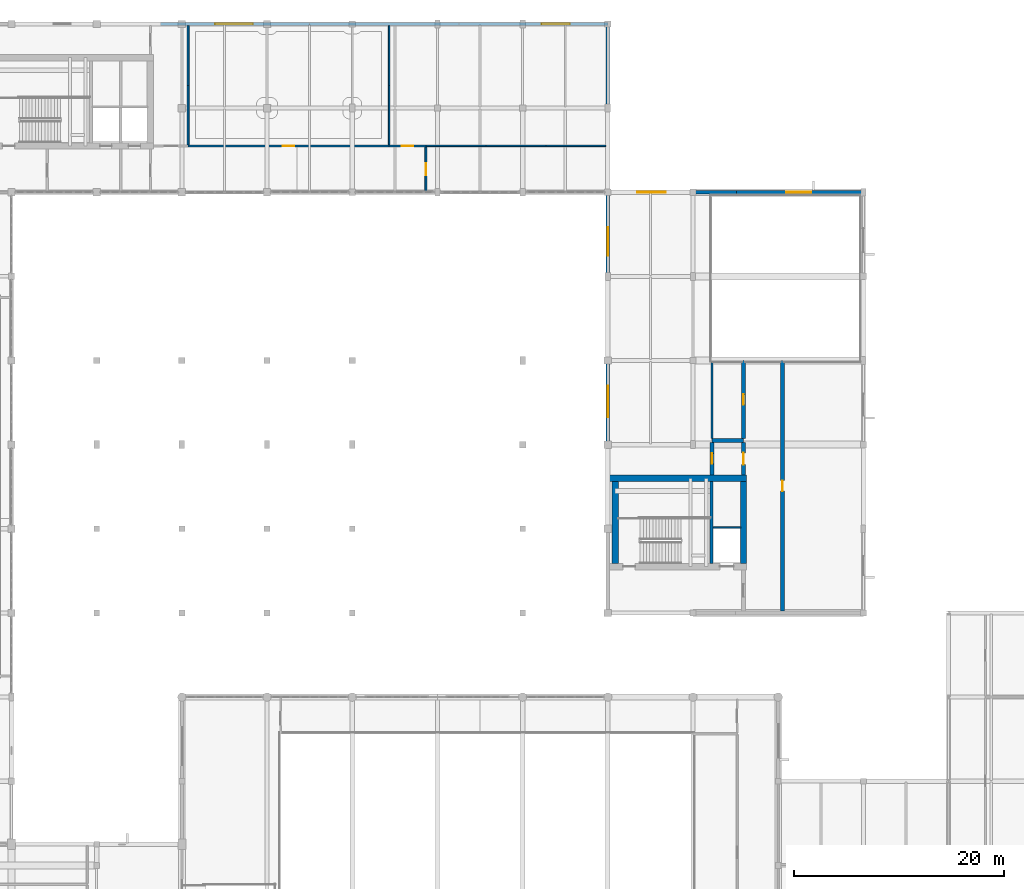
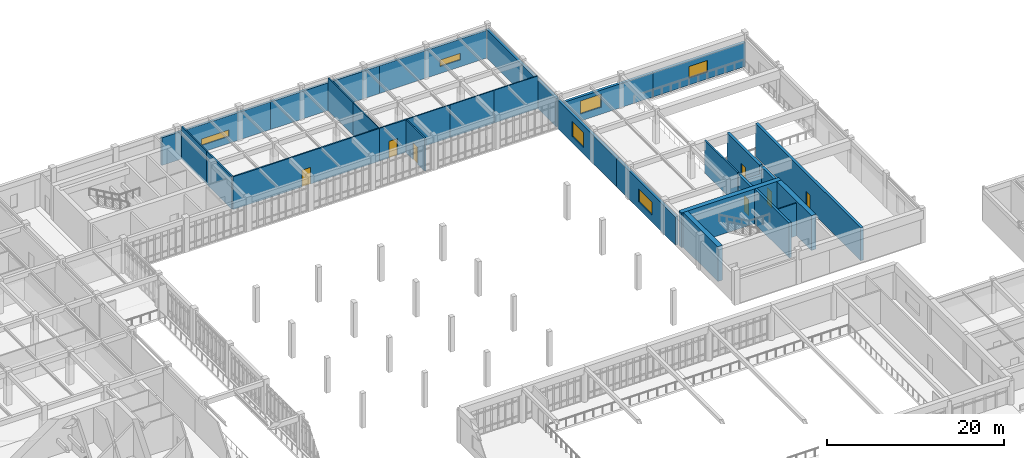
# One storey, part 48 of 61: 29 walls, 7 doors, 6 windows, 13 openings.
"""IFC4 building model written with IfcOpenShell, lengths in metres."""

from ifc_helpers import new_model, si_unit, direction, frame, frame_2d, origin, place, context, subcontext, project, spatial, rectangle, extrude, material, layer, layer_set, type_object, element, fill, save


model = new_model("IFC4")

# Units and contexts
model_context = context("Model", 3, precision=1e-05, world=origin(), true_north=direction((0.0, 1.0)))
body_context = subcontext(model_context, "Body", "Model", "MODEL_VIEW")
ifc_project = project(units=[si_unit("LENGTHUNIT", "METRE"), si_unit("AREAUNIT", "SQUARE_METRE"), si_unit("VOLUMEUNIT", "CUBIC_METRE"), si_unit("PLANEANGLEUNIT", "RADIAN"), si_unit("MASSUNIT", "GRAM", prefix="KILO")], contexts=[model_context])

# Site, building, storey
site_placement = place(None, origin())
site = spatial("IfcSite", under=ifc_project, at=site_placement, CompositionType="ELEMENT")
building_placement = place(site_placement, origin())
building = spatial("IfcBuilding", under=site, at=building_placement, Name="Tarnveldt Square Police Headquarters", CompositionType="ELEMENT")
storey_placement = place(building_placement, frame((0.0, 0.0, 5.39990234375)))
storey = spatial("IfcBuildingStorey", under=building, at=storey_placement, Name="L01", CompositionType="ELEMENT", Elevation=5.39990234375)

# Walls
ifc_material_1 = material(Name="Fire-rated Type X gypsum board on steel studs", Category="steel")
ifc_layer_1 = layer(ifc_material_1, 0.199951171875)
ifc_layer_set_1 = layer_set([ifc_layer_1], Name="Fire-rated Type X gypsum board on steel studs")
wall_type_1 = type_object("IfcWallType", Name="WL-ACOUST-200", PredefinedType="PARTITIONING", material=ifc_layer_set_1)
wall_1_placement = place(storey_placement, frame((115.199951171875, 72.5830078125, 0.0), z_axis=(0.0, 0.0, 1.0), x_axis=(0.0, 1.0, 0.0)))
element("IfcWall", 1, at=wall_1_placement, inside=storey, type_object=wall_type_1, Name="L01 Interior Partition Wall 0313", PredefinedType="PARTITIONING", context=body_context, shape_type="SweptSolid", body=[
    extrude(rectangle(XDim=7.406982421875, YDim=0.199951171875, at=frame_2d((3.70361328125, 0.0))), origin(), (0.0, 0.0, 1.0), 4.52001953125),
])
ifc_material_2 = material(Name="Concrete 50 MPa", Category="concrete")
ifc_layer_2 = layer(ifc_material_2, 0.449951171875)
ifc_layer_set_2 = layer_set([ifc_layer_2], Name="Concrete 50 MPa")
wall_type_2 = type_object("IfcWallType", Name="WL-CORE-450", PredefinedType="SHEAR", material=ifc_layer_set_2)
wall_2_placement = place(storey_placement, frame((115.14990234375, 60.699951171875, 0.0), z_axis=(0.0, 0.0, 1.0), x_axis=(0.0, 1.0, 0.0)))
element("IfcWall", 2, at=wall_2_placement, inside=storey, type_object=wall_type_2, Name="Core K4 East Custody and Tactical Core L01 Stair-Lift Divider Shear Wall", PredefinedType="SHEAR", context=body_context, shape_type="SweptSolid", body=[
    extrude(rectangle(XDim=7.800048828125, YDim=0.300048828125, at=frame_2d((3.89990234375, 0.0))), origin(), (0.0, 0.0, 1.0), 4.800048828125),
])
ifc_layer_3 = layer(ifc_material_2, 0.60009765625)
ifc_layer_set_3 = layer_set([ifc_layer_3], Name="Concrete 50 MPa")
wall_type_3 = type_object("IfcWallType", Name="WL-CORE-600", PredefinedType="SHEAR", material=ifc_layer_set_3)
wall_3_placement = place(storey_placement, frame((105.47998046875, 68.800048828125, 0.0), z_axis=(0.0, 0.0, 1.0), x_axis=(1.0, 0.0, 0.0)))
element("IfcWall", 3, at=wall_3_placement, inside=storey, type_object=wall_type_3, Name="Core K4 East Custody and Tactical Core L01 North Shear Wall", PredefinedType="SHEAR", context=body_context, shape_type="SweptSolid", body=[
    extrude(rectangle(XDim=13.02001953125, YDim=0.60009765625, at=frame_2d((6.510009765625, 0.0))), origin(), (0.0, 0.0, 1.0), 4.800048828125),
])
for number, where, z_axis, x_axis, name in (
    (4, (106.0, 60.699951171875, 0.0), (0.0, 0.0, 1.0), (0.0, 1.0, 0.0), "Core K4 East Custody and Tactical Core L01 West Shear Wall"),
    (5, (118.199951171875, 60.699951171875, 0.0), (0.0, 0.0, 1.0), (0.0, 1.0, 0.0), "Core K4 East Custody and Tactical Core L01 East Shear Wall"),
):
    element("IfcWall", number, at=place(storey_placement, frame(where, z_axis=z_axis, x_axis=x_axis)), inside=storey, type_object=wall_type_3, Name=name, PredefinedType="SHEAR", context=body_context, shape_type="SweptSolid", body=[
        extrude(rectangle(XDim=7.800048828125, YDim=0.60009765625, at=frame_2d((3.89990234375, 0.0))), origin(), (0.0, 0.0, 1.0), 4.800048828125),
    ])
ifc_material_3 = material(Name="Concrete 40 MPa", Category="concrete")
ifc_layer_4 = layer(ifc_material_3, 0.35009765625)
ifc_layer_set_4 = layer_set([ifc_layer_4], Name="Concrete 40 MPa")
wall_type_4 = type_object("IfcWallType", Name="WL-CUST-350", PredefinedType="SOLIDWALL", material=ifc_layer_set_4)
wall_4_placement = place(storey_placement, frame((105.300048828125, 96.179931640625, 0.0), z_axis=(0.0, 0.0, 1.0), x_axis=(0.0, 1.0, 0.0)))
element("IfcWall", 6, at=wall_4_placement, inside=storey, type_object=wall_type_4, Name="L01 Brutalist Exterior Wall 0085", PredefinedType="SOLIDWALL", context=body_context, shape_type="SweptSolid", body=[
    extrude(rectangle(XDim=15.820068359375, YDim=0.35009765625, at=frame_2d((7.91015625, 0.0))), origin(), (0.0, 0.0, 1.0), 3.912109375),
])

# Wall, opening, window
wall_5_placement = place(storey_placement, frame((129.60009765625, 96.0, 0.0), z_axis=(0.0, 0.0, 1.0), x_axis=(-1.0, 0.0, 0.0)))
wall_5 = element("IfcWall", 7, at=wall_5_placement, inside=storey, type_object=wall_type_4, Name="L01 Brutalist Exterior Wall 0108", PredefinedType="SOLIDWALL", context=body_context, shape_type="SweptSolid", body=[
    extrude(rectangle(XDim=12.06005859375, YDim=0.35009765625, at=frame_2d((6.030029296875, 0.0))), origin(), (0.0, 0.0, 1.0), 3.31201171875),
])
opening_1_placement = place(wall_5_placement, frame((4.949951171875, 0.0, 0.949951171875)))
opening_1 = element("IfcOpeningElement", 8, at=opening_1_placement, cuts=wall_5, Name="Opening W14", PredefinedType="OPENING", context=body_context, shape_type="SweptSolid", body=[
    extrude(rectangle(XDim=2.39990234375, YDim=1.60009765625, at=frame_2d((1.199951171875, 0.800048828125))), frame((0.0, 0.18505859375, 0.0), z_axis=(0.0, -1.0, 0.0), x_axis=(1.0, 0.0, 0.0)), (0.0, 0.0, 1.0), 0.3701171875),
])
ifc_material_4 = material(Name="Triple-glazed low-e laminated vision glass", Category="glass")
window_type_1 = type_object("IfcWindowType", Name="WIN-DR-240x160", PartitioningType="TRIPLE_PANEL_VERTICAL", PredefinedType="WINDOW", material=ifc_material_4)
window_1_placement = place(opening_1_placement, origin())
window_1 = element("IfcWindow", 9, at=window_1_placement, inside=storey, type_object=window_type_1, Name="L01 Deep-Reveal Brutalist Window 0038", OverallHeight=1.60009765625, OverallWidth=2.39990234375, PartitioningType="TRIPLE_PANEL_VERTICAL", PredefinedType="WINDOW", context=body_context, shape_type="SweptSolid", body=[
    extrude(rectangle(XDim=2.39990234375, YDim=1.60009765625, at=frame_2d((1.199951171875, 0.800048828125))), frame((0.0, 0.030029296875, 0.0), z_axis=(0.0, -1.0, 0.0), x_axis=(1.0, 0.0, 0.0)), (0.0, 0.0, 1.0), 0.06005859375),
])
fill(opening_1, window_1)

wall_6_placement = place(storey_placement, frame((117.5400390625, 96.0, 0.0), z_axis=(0.0, 0.0, 1.0), x_axis=(-1.0, 0.0, 0.0)))
wall_6 = element("IfcWall", 10, at=wall_6_placement, inside=storey, type_object=wall_type_4, Name="L01 Brutalist Exterior Wall 0109", PredefinedType="SOLIDWALL", context=body_context, shape_type="SweptSolid", body=[
    extrude(rectangle(XDim=12.06005859375, YDim=0.35009765625, at=frame_2d((6.030029296875, 0.0))), origin(), (0.0, 0.0, 1.0), 3.31201171875),
])
opening_2_placement = place(wall_6_placement, frame((6.75, 0.0, 0.949951171875)))
opening_2 = element("IfcOpeningElement", 11, at=opening_2_placement, cuts=wall_6, Name="Opening W15", PredefinedType="OPENING", context=body_context, shape_type="SweptSolid", body=[
    extrude(rectangle(XDim=2.699951171875, YDim=1.800048828125, at=frame_2d((1.35009765625, 0.89990234375))), frame((0.0, 0.18505859375, 0.0), z_axis=(0.0, -1.0, 0.0), x_axis=(1.0, 0.0, 0.0)), (0.0, 0.0, 1.0), 0.3701171875),
])
window_type_2 = type_object("IfcWindowType", Name="WIN-DR-270x180", PartitioningType="TRIPLE_PANEL_VERTICAL", PredefinedType="WINDOW", material=ifc_material_4)
window_2_placement = place(opening_2_placement, origin())
window_2 = element("IfcWindow", 12, at=window_2_placement, inside=storey, type_object=window_type_2, Name="L01 Deep-Reveal Brutalist Window 0039", OverallHeight=1.800048828125, OverallWidth=2.699951171875, PartitioningType="TRIPLE_PANEL_VERTICAL", PredefinedType="WINDOW", context=body_context, shape_type="SweptSolid", body=[
    extrude(rectangle(XDim=2.699951171875, YDim=1.800048828125, at=frame_2d((1.35009765625, 0.89990234375))), frame((0.0, 0.030029296875, 0.0), z_axis=(0.0, -1.0, 0.0), x_axis=(1.0, 0.0, 0.0)), (0.0, 0.0, 1.0), 0.06005859375),
])
fill(opening_2, window_2)

wall_7_placement = place(storey_placement, frame((105.300048828125, 95.820068359375, 0.0), z_axis=(0.0, 0.0, 1.0), x_axis=(0.0, -1.0, 0.0)))
wall_7 = element("IfcWall", 13, at=wall_7_placement, inside=storey, type_object=wall_type_4, Name="L01 Brutalist Exterior Wall 0110", PredefinedType="SOLIDWALL", context=body_context, shape_type="SweptSolid", body=[
    extrude(rectangle(XDim=13.2734375, YDim=0.35009765625, at=frame_2d((6.63671875, 0.0))), origin(), (0.0, 0.0, 1.0), 3.912109375),
])
opening_3_placement = place(wall_7_placement, frame((3.14990234375, 0.0, 0.85009765625)))
opening_3 = element("IfcOpeningElement", 14, at=opening_3_placement, cuts=wall_7, Name="Opening W16", PredefinedType="OPENING", context=body_context, shape_type="SweptSolid", body=[
    extrude(rectangle(XDim=2.699951171875, YDim=2.10009765625, at=frame_2d((1.35009765625, 1.050048828125))), frame((0.0, 0.18505859375, 0.0), z_axis=(0.0, -1.0, 0.0), x_axis=(1.0, 0.0, 0.0)), (0.0, 0.0, 1.0), 0.3701171875),
])
window_type_3 = type_object("IfcWindowType", Name="WIN-DR-270x210", PartitioningType="TRIPLE_PANEL_VERTICAL", PredefinedType="WINDOW", material=ifc_material_4)
window_3_placement = place(opening_3_placement, origin())
window_3 = element("IfcWindow", 15, at=window_3_placement, inside=storey, type_object=window_type_3, Name="L01 Deep-Reveal Brutalist Window 0040", OverallHeight=2.10009765625, OverallWidth=2.699951171875, PartitioningType="TRIPLE_PANEL_VERTICAL", PredefinedType="WINDOW", context=body_context, shape_type="SweptSolid", body=[
    extrude(rectangle(XDim=2.699951171875, YDim=2.10009765625, at=frame_2d((1.35009765625, 1.050048828125))), frame((0.0, 0.030029296875, 0.0), z_axis=(0.0, -1.0, 0.0), x_axis=(1.0, 0.0, 0.0)), (0.0, 0.0, 1.0), 0.06005859375),
])
fill(opening_3, window_3)

wall_8_placement = place(storey_placement, frame((105.300048828125, 82.546630859375, 0.0), z_axis=(0.0, 0.0, 1.0), x_axis=(0.0, -1.0, 0.0)))
wall_8 = element("IfcWall", 16, at=wall_8_placement, inside=storey, type_object=wall_type_4, Name="L01 Brutalist Exterior Wall 0111", PredefinedType="SOLIDWALL", context=body_context, shape_type="SweptSolid", body=[
    extrude(rectangle(XDim=13.273193359375, YDim=0.35009765625, at=frame_2d((6.63671875, 0.0))), origin(), (0.0, 0.0, 1.0), 3.912109375),
])
opening_4_placement = place(wall_8_placement, frame((4.949951171875, 0.0, 0.949951171875)))
opening_4 = element("IfcOpeningElement", 17, at=opening_4_placement, cuts=wall_8, Name="Opening W17", PredefinedType="OPENING", context=body_context, shape_type="SweptSolid", body=[
    extrude(rectangle(XDim=3.0, YDim=1.800048828125, at=frame_2d((1.5, 0.89990234375))), frame((0.0, 0.18505859375, 0.0), z_axis=(0.0, -1.0, 0.0), x_axis=(1.0, 0.0, 0.0)), (0.0, 0.0, 1.0), 0.3701171875),
])
window_type_4 = type_object("IfcWindowType", Name="WIN-DR-300x180", PartitioningType="TRIPLE_PANEL_VERTICAL", PredefinedType="WINDOW", material=ifc_material_4)
window_4_placement = place(opening_4_placement, origin())
window_4 = element("IfcWindow", 18, at=window_4_placement, inside=storey, type_object=window_type_4, Name="L01 Deep-Reveal Brutalist Window 0041", OverallHeight=1.800048828125, OverallWidth=3.0, PartitioningType="TRIPLE_PANEL_VERTICAL", PredefinedType="WINDOW", context=body_context, shape_type="SweptSolid", body=[
    extrude(rectangle(XDim=3.0, YDim=1.800048828125, at=frame_2d((1.5, 0.89990234375))), frame((0.0, 0.030029296875, 0.0), z_axis=(0.0, -1.0, 0.0), x_axis=(1.0, 0.0, 0.0)), (0.0, 0.0, 1.0), 0.06005859375),
])
fill(opening_4, window_4)

# Wall
wall_9_placement = place(storey_placement, frame((115.199951171875, 72.39990234375, 0.0), z_axis=(0.0, 0.0, 1.0), x_axis=(1.0, 0.0, 0.0)))
element("IfcWall", 19, at=wall_9_placement, inside=storey, type_object=wall_type_4, Name="L01 Interior Partition Wall 0255", PredefinedType="SOLIDWALL", context=body_context, shape_type="SweptSolid", body=[
    extrude(rectangle(XDim=3.0, YDim=0.35009765625, at=frame_2d((1.5, 0.0))), origin(), (0.0, 0.0, 1.0), 3.31201171875),
])

# Wall, opening, door
wall_10_placement = place(storey_placement, frame((115.199951171875, 69.10791015625, 0.0), z_axis=(0.0, 0.0, 1.0), x_axis=(0.0, 1.0, 0.0)))
wall_10 = element("IfcWall", 20, at=wall_10_placement, inside=storey, type_object=wall_type_4, Name="L01 Interior Partition Wall 0312", PredefinedType="SOLIDWALL", context=body_context, shape_type="SweptSolid", body=[
    extrude(rectangle(XDim=3.109130859375, YDim=0.35009765625, at=frame_2d((1.5546875, 0.0))), origin(), (0.0, 0.0, 1.0), 4.52001953125),
])
opening_5_placement = place(wall_10_placement, frame((1.054443359375, 0.0, 0.0)))
opening_5 = element("IfcOpeningElement", 21, at=opening_5_placement, cuts=wall_10, Name="Opening D05", PredefinedType="OPENING", context=body_context, shape_type="SweptSolid", body=[
    extrude(rectangle(XDim=1.0, YDim=2.199951171875, at=frame_2d((0.5, 1.10009765625))), frame((0.0, 0.18505859375, 0.0), z_axis=(0.0, -1.0, 0.0), x_axis=(1.0, 0.0, 0.0)), (0.0, 0.0, 1.0), 0.3701171875),
])
ifc_material_5 = material(Name="Solid core architectural birch door leaf", Category="wood")
door_type_1 = type_object("IfcDoorType", Name="DR-INT-1000", OperationType="NOTDEFINED", PredefinedType="DOOR", material=ifc_material_5)
door_1_placement = place(opening_5_placement, origin())
door_1 = element("IfcDoor", 22, at=door_1_placement, inside=storey, type_object=door_type_1, Name="Video-Recorded Interview Suite Door", OperationType="SINGLE_SWING_RIGHT", OverallHeight=2.199951171875, OverallWidth=1.0, PredefinedType="DOOR", context=body_context, shape_type="SweptSolid", body=[
    extrude(rectangle(XDim=1.0, YDim=2.199951171875, at=frame_2d((0.5, 1.10009765625))), frame((0.0, 0.02490234375, 0.0), z_axis=(0.0, -1.0, 0.0), x_axis=(1.0, 0.0, 0.0)), (0.0, 0.0, 1.0), 0.050048828125),
])
fill(opening_5, door_1)

wall_11_placement = place(storey_placement, frame((118.199951171875, 69.10791015625, 0.0), z_axis=(0.0, 0.0, 1.0), x_axis=(0.0, 1.0, 0.0)))
wall_11 = element("IfcWall", 23, at=wall_11_placement, inside=storey, type_object=wall_type_4, Name="L01 Interior Partition Wall 0317", PredefinedType="SOLIDWALL", context=body_context, shape_type="SweptSolid", body=[
    extrude(rectangle(XDim=3.109130859375, YDim=0.35009765625, at=frame_2d((1.5546875, 0.0))), origin(), (0.0, 0.0, 1.0), 4.52001953125),
])
opening_6_placement = place(wall_11_placement, frame((1.00439453125, 0.0, 0.0)))
opening_6 = element("IfcOpeningElement", 24, at=opening_6_placement, cuts=wall_11, Name="Opening D12", PredefinedType="OPENING", context=body_context, shape_type="SweptSolid", body=[
    extrude(rectangle(XDim=1.10009765625, YDim=2.25, at=frame_2d((0.550048828125, 1.125))), frame((0.0, 0.18505859375, 0.0), z_axis=(0.0, -1.0, 0.0), x_axis=(1.0, 0.0, 0.0)), (0.0, 0.0, 1.0), 0.3701171875),
])
ifc_material_6 = material(Name="Steel 350W", Category="steel")
door_type_2 = type_object("IfcDoorType", Name="DR-SEC-1100", OperationType="NOTDEFINED", PredefinedType="DOOR", material=ifc_material_6)
door_2_placement = place(opening_6_placement, origin())
door_2 = element("IfcDoor", 25, at=door_2_placement, inside=storey, type_object=door_type_2, Name="Custody Interview Vestibule Corridor Door", OperationType="SINGLE_SWING_RIGHT", OverallHeight=2.25, OverallWidth=1.10009765625, PredefinedType="DOOR", context=body_context, shape_type="SweptSolid", body=[
    extrude(rectangle(XDim=1.10009765625, YDim=2.25, at=frame_2d((0.550048828125, 1.125))), frame((0.0, 0.02490234375, 0.0), z_axis=(0.0, -1.0, 0.0), x_axis=(1.0, 0.0, 0.0)), (0.0, 0.0, 1.0), 0.050048828125),
])
fill(opening_6, door_2)

wall_12_placement = place(storey_placement, frame((118.199951171875, 72.5830078125, 0.0), z_axis=(0.0, 0.0, 1.0), x_axis=(0.0, 1.0, 0.0)))
wall_12 = element("IfcWall", 26, at=wall_12_placement, inside=storey, type_object=wall_type_4, Name="L01 Interior Partition Wall 0318", PredefinedType="SOLIDWALL", context=body_context, shape_type="SweptSolid", body=[
    extrude(rectangle(XDim=7.406982421875, YDim=0.35009765625, at=frame_2d((3.70361328125, 0.0))), origin(), (0.0, 0.0, 1.0), 4.52001953125),
])
opening_7_placement = place(wall_12_placement, frame((3.20361328125, 0.0, 0.0)))
opening_7 = element("IfcOpeningElement", 27, at=opening_7_placement, cuts=wall_12, Name="Opening D05", PredefinedType="OPENING", context=body_context, shape_type="SweptSolid", body=[
    extrude(rectangle(XDim=1.0, YDim=2.199951171875, at=frame_2d((0.5, 1.10009765625))), frame((0.0, 0.18505859375, 0.0), z_axis=(0.0, -1.0, 0.0), x_axis=(1.0, 0.0, 0.0)), (0.0, 0.0, 1.0), 0.3701171875),
])
door_3_placement = place(opening_7_placement, origin())
door_3 = element("IfcDoor", 28, at=door_3_placement, inside=storey, type_object=door_type_1, Name="Interview Observation Suite Door", OperationType="SINGLE_SWING_LEFT", OverallHeight=2.199951171875, OverallWidth=1.0, PredefinedType="DOOR", context=body_context, shape_type="SweptSolid", body=[
    extrude(rectangle(XDim=1.0, YDim=2.199951171875, at=frame_2d((0.5, 1.10009765625))), frame((0.0, 0.02490234375, 0.0), z_axis=(0.0, -1.0, 0.0), x_axis=(1.0, 0.0, 0.0)), (0.0, 0.0, 1.0), 0.050048828125),
])
fill(opening_7, door_3)

wall_13_placement = place(storey_placement, frame((121.89990234375, 56.18310546875, 0.0), z_axis=(0.0, 0.0, 1.0), x_axis=(0.0, 1.0, 0.0)))
wall_13 = element("IfcWall", 29, at=wall_13_placement, inside=storey, type_object=wall_type_4, Name="L01 Interior Partition Wall 0322", PredefinedType="SOLIDWALL", context=body_context, shape_type="SweptSolid", body=[
    extrude(rectangle(XDim=23.806884765625, YDim=0.35009765625, at=frame_2d((11.9033203125, 0.0))), origin(), (0.0, 0.0, 1.0), 4.52001953125),
])
opening_8_placement = place(wall_13_placement, frame((11.403564453125, 0.0, 0.0)))
opening_8 = element("IfcOpeningElement", 30, at=opening_8_placement, cuts=wall_13, Name="Opening D11", PredefinedType="OPENING", context=body_context, shape_type="SweptSolid", body=[
    extrude(rectangle(XDim=1.0, YDim=2.10009765625, at=frame_2d((0.5, 1.050048828125))), frame((0.0, 0.18505859375, 0.0), z_axis=(0.0, -1.0, 0.0), x_axis=(1.0, 0.0, 0.0)), (0.0, 0.0, 1.0), 0.3701171875),
])
door_type_3 = type_object("IfcDoorType", Name="DR-CELL-1000", OperationType="SLIDING_TO_LEFT", PredefinedType="DOOR", material=ifc_material_6)
door_4_placement = place(opening_8_placement, frame((1.0, 0.0, 0.0), z_axis=(0.0, 0.0, 1.0), x_axis=(-1.0, 0.0, 0.0)))
door_4 = element("IfcDoor", 31, at=door_4_placement, inside=storey, type_object=door_type_3, Name="Youth Custody Suite Separation Wing Door", OperationType="SLIDING_TO_LEFT", OverallHeight=2.10009765625, OverallWidth=1.0, PredefinedType="DOOR", context=body_context, shape_type="SweptSolid", body=[
    extrude(rectangle(XDim=1.0, YDim=2.10009765625, at=frame_2d((0.5, 1.050048828125))), frame((0.0, 0.02490234375, 0.0), z_axis=(0.0, -1.0, 0.0), x_axis=(1.0, 0.0, 0.0)), (0.0, 0.0, 1.0), 0.050048828125),
])
fill(opening_8, door_4)

# Wall, opening, window
ifc_material_7 = material(Name="Manganese ironspot clay brick masonry 20 MPa", Category="masonry")
ifc_layer_5 = layer(ifc_material_7, 0.300048828125)
ifc_layer_set_5 = layer_set([ifc_layer_5], Name="Manganese ironspot clay brick masonry 20 MPa")
wall_type_5 = type_object("IfcWallType", Name="WL-EXT-BRK300", PredefinedType="SOLIDWALL", material=ifc_layer_set_5)
wall_14_placement = place(storey_placement, frame((105.300048828125, 112.0, 0.0), z_axis=(0.0, 0.0, 1.0), x_axis=(-1.0, 0.0, 0.0)))
wall_14 = element("IfcWall", 32, at=wall_14_placement, inside=storey, type_object=wall_type_5, Name="L01 Brutalist Exterior Wall 0086", PredefinedType="SOLIDWALL", context=body_context, shape_type="SweptSolid", body=[
    extrude(rectangle(XDim=14.175048828125, YDim=0.300048828125, at=frame_2d((7.08740234375, 0.0))), origin(), (0.0, 0.0, 1.0), 3.81201171875),
])
opening_9_placement = place(wall_14_placement, frame((3.60009765625, 0.0, 0.949951171875)))
opening_9 = element("IfcOpeningElement", 33, at=opening_9_placement, cuts=wall_14, Name="Opening W22", PredefinedType="OPENING", context=body_context, shape_type="SweptSolid", body=[
    extrude(rectangle(XDim=2.699951171875, YDim=0.89990234375, at=frame_2d((1.35009765625, 0.449951171875))), frame((0.0, 0.159912109375, 0.0), z_axis=(0.0, -1.0, 0.0), x_axis=(1.0, 0.0, 0.0)), (0.0, 0.0, 1.0), 0.320068359375),
])
window_type_5 = type_object("IfcWindowType", Name="WIN-CLR-270x090", PartitioningType="TRIPLE_PANEL_VERTICAL", PredefinedType="WINDOW", material=ifc_material_4)
window_5_placement = place(opening_9_placement, origin())
window_5 = element("IfcWindow", 34, at=window_5_placement, inside=storey, type_object=window_type_5, Name="L01 Deep-Reveal Brutalist Window 0022", OverallHeight=0.89990234375, OverallWidth=2.699951171875, PartitioningType="TRIPLE_PANEL_VERTICAL", PredefinedType="WINDOW", context=body_context, shape_type="SweptSolid", body=[
    extrude(rectangle(XDim=2.699951171875, YDim=0.89990234375, at=frame_2d((1.35009765625, 0.449951171875))), frame((0.0, 0.030029296875, 0.0), z_axis=(0.0, -1.0, 0.0), x_axis=(1.0, 0.0, 0.0)), (0.0, 0.0, 1.0), 0.06005859375),
])
fill(opening_9, window_5)

# Wall
wall_15_placement = place(storey_placement, frame((91.125, 112.0, 0.0), z_axis=(0.0, 0.0, 1.0), x_axis=(-1.0, 0.0, 0.0)))
element("IfcWall", 35, at=wall_15_placement, inside=storey, type_object=wall_type_5, Name="L01 Brutalist Exterior Wall 0087", PredefinedType="SOLIDWALL", context=body_context, shape_type="SweptSolid", body=[
    extrude(rectangle(XDim=14.175048828125, YDim=0.300048828125, at=frame_2d((7.08740234375, 0.0))), origin(), (0.0, 0.0, 1.0), 3.81201171875),
])

# Wall, opening, window
wall_16_placement = place(storey_placement, frame((76.949951171875, 112.0, 0.0), z_axis=(0.0, 0.0, 1.0), x_axis=(-1.0, 0.0, 0.0)))
wall_16 = element("IfcWall", 36, at=wall_16_placement, inside=storey, type_object=wall_type_5, Name="L01 Brutalist Exterior Wall 0088", PredefinedType="SOLIDWALL", context=body_context, shape_type="SweptSolid", body=[
    extrude(rectangle(XDim=14.175048828125, YDim=0.300048828125, at=frame_2d((7.08740234375, 0.0))), origin(), (0.0, 0.0, 1.0), 3.81201171875),
])
opening_10_placement = place(wall_16_placement, frame((5.39990234375, 0.0, 0.949951171875)))
opening_10 = element("IfcOpeningElement", 37, at=opening_10_placement, cuts=wall_16, Name="Opening W23", PredefinedType="OPENING", context=body_context, shape_type="SweptSolid", body=[
    extrude(rectangle(XDim=3.60009765625, YDim=0.89990234375, at=frame_2d((1.800048828125, 0.449951171875))), frame((0.0, 0.159912109375, 0.0), z_axis=(0.0, -1.0, 0.0), x_axis=(1.0, 0.0, 0.0)), (0.0, 0.0, 1.0), 0.320068359375),
])
window_type_6 = type_object("IfcWindowType", Name="WIN-CLR-360x090", PartitioningType="TRIPLE_PANEL_VERTICAL", PredefinedType="WINDOW", material=ifc_material_4)
window_6_placement = place(opening_10_placement, origin())
window_6 = element("IfcWindow", 38, at=window_6_placement, inside=storey, type_object=window_type_6, Name="L01 Deep-Reveal Brutalist Window 0023", OverallHeight=0.89990234375, OverallWidth=3.60009765625, PartitioningType="TRIPLE_PANEL_VERTICAL", PredefinedType="WINDOW", context=body_context, shape_type="SweptSolid", body=[
    extrude(rectangle(XDim=3.60009765625, YDim=0.89990234375, at=frame_2d((1.800048828125, 0.449951171875))), frame((0.0, 0.030029296875, 0.0), z_axis=(0.0, -1.0, 0.0), x_axis=(1.0, 0.0, 0.0)), (0.0, 0.0, 1.0), 0.06005859375),
])
fill(opening_10, window_6)

# Wall, opening, door
ifc_layer_6 = layer(ifc_material_1, 0.179931640625)
ifc_layer_set_6 = layer_set([ifc_layer_6], Name="Fire-rated Type X gypsum board on steel studs")
wall_type_6 = type_object("IfcWallType", Name="WL-FIRE-180", PredefinedType="PARTITIONING", material=ifc_layer_set_6)
wall_17_placement = place(storey_placement, frame((65.39990234375, 100.39990234375, 0.0), z_axis=(0.0, 0.0, 1.0), x_axis=(1.0, 0.0, 0.0)))
wall_17 = element("IfcWall", 39, at=wall_17_placement, inside=storey, type_object=wall_type_6, Name="L01 Interior Partition Wall 0249", PredefinedType="PARTITIONING", context=body_context, shape_type="SweptSolid", body=[
    extrude(rectangle(XDim=19.10009765625, YDim=0.179931640625, at=frame_2d((9.550048828125, 0.0))), origin(), (0.0, 0.0, 1.0), 4.52001953125),
])
opening_11_placement = place(wall_17_placement, frame((9.0, 0.0, 0.0)))
opening_11 = element("IfcOpeningElement", 40, at=opening_11_placement, cuts=wall_17, Name="Opening D09", PredefinedType="OPENING", context=body_context, shape_type="SweptSolid", body=[
    extrude(rectangle(XDim=1.10009765625, YDim=2.300048828125, at=frame_2d((0.550048828125, 1.14990234375))), frame((0.0, 0.099853515625, 0.0), z_axis=(0.0, -1.0, 0.0), x_axis=(1.0, 0.0, 0.0)), (0.0, 0.0, 1.0), 0.199951171875),
])
ifc_material_8 = material(Name="Insulated hollow metal steel door leaf", Category="steel")
door_type_4 = type_object("IfcDoorType", Name="DR-LAB-1100", OperationType="NOTDEFINED", PredefinedType="DOOR", material=ifc_material_8)
door_5_placement = place(opening_11_placement, origin())
door_5 = element("IfcDoor", 41, at=door_5_placement, inside=storey, type_object=door_type_4, Name="Latent Fingerprint Forensic Laboratory Door", OperationType="SINGLE_SWING_LEFT", OverallHeight=2.300048828125, OverallWidth=1.10009765625, PredefinedType="DOOR", context=body_context, shape_type="SweptSolid", body=[
    extrude(rectangle(XDim=1.10009765625, YDim=2.300048828125, at=frame_2d((0.550048828125, 1.14990234375))), frame((0.0, 0.02490234375, 0.0), z_axis=(0.0, -1.0, 0.0), x_axis=(1.0, 0.0, 0.0)), (0.0, 0.0, 1.0), 0.050048828125),
])
fill(opening_11, door_5)

wall_18_placement = place(storey_placement, frame((84.5, 100.39990234375, 0.0), z_axis=(0.0, 0.0, 1.0), x_axis=(1.0, 0.0, 0.0)))
wall_18 = element("IfcWall", 42, at=wall_18_placement, inside=storey, type_object=wall_type_6, Name="L01 Interior Partition Wall 0250", PredefinedType="PARTITIONING", context=body_context, shape_type="SweptSolid", body=[
    extrude(rectangle(XDim=3.5, YDim=0.179931640625, at=frame_2d((1.75, 0.0))), origin(), (0.0, 0.0, 1.0), 4.52001953125),
])
opening_12_placement = place(wall_18_placement, frame((1.199951171875, 0.0, 0.0)))
opening_12 = element("IfcOpeningElement", 43, at=opening_12_placement, cuts=wall_18, Name="Opening D09", PredefinedType="OPENING", context=body_context, shape_type="SweptSolid", body=[
    extrude(rectangle(XDim=1.10009765625, YDim=2.300048828125, at=frame_2d((0.550048828125, 1.14990234375))), frame((0.0, 0.099853515625, 0.0), z_axis=(0.0, -1.0, 0.0), x_axis=(1.0, 0.0, 0.0)), (0.0, 0.0, 1.0), 0.199951171875),
])
door_6_placement = place(opening_12_placement, origin())
door_6 = element("IfcDoor", 44, at=door_6_placement, inside=storey, type_object=door_type_4, Name="Forensic Imaging and Photogrammetry Studio Door", OperationType="SINGLE_SWING_RIGHT", OverallHeight=2.300048828125, OverallWidth=1.10009765625, PredefinedType="DOOR", context=body_context, shape_type="SweptSolid", body=[
    extrude(rectangle(XDim=1.10009765625, YDim=2.300048828125, at=frame_2d((0.550048828125, 1.14990234375))), frame((0.0, 0.02490234375, 0.0), z_axis=(0.0, -1.0, 0.0), x_axis=(1.0, 0.0, 0.0)), (0.0, 0.0, 1.0), 0.050048828125),
])
fill(opening_12, door_6)

# Walls
wall_19_placement = place(storey_placement, frame((65.39990234375, 100.498046875, 0.0), z_axis=(0.0, 0.0, 1.0), x_axis=(0.0, 1.0, 0.0)))
element("IfcWall", 45, at=wall_19_placement, inside=storey, type_object=wall_type_6, Name="L01 Interior Partition Wall 0304", PredefinedType="PARTITIONING", context=body_context, shape_type="SweptSolid", body=[
    extrude(rectangle(XDim=5.671875, YDim=0.179931640625, at=frame_2d((2.8359375, 0.0))), origin(), (0.0, 0.0, 1.0), 4.52001953125),
])
wall_20_placement = place(storey_placement, frame((65.39990234375, 106.169921875, 0.0), z_axis=(0.0, 0.0, 1.0), x_axis=(0.0, 1.0, 0.0)))
element("IfcWall", 46, at=wall_20_placement, inside=storey, type_object=wall_type_6, Name="L01 Interior Partition Wall 0305", PredefinedType="PARTITIONING", context=body_context, shape_type="SweptSolid", body=[
    extrude(rectangle(XDim=5.672119140625, YDim=0.179931640625, at=frame_2d((2.8359375, 0.0))), origin(), (0.0, 0.0, 1.0), 4.52001953125),
])

# Wall, opening, door
wall_21_placement = place(storey_placement, frame((88.0, 96.06494140625, 0.0), z_axis=(0.0, 0.0, 1.0), x_axis=(0.0, 1.0, 0.0)))
wall_21 = element("IfcWall", 47, at=wall_21_placement, inside=storey, type_object=wall_type_6, Name="L01 Interior Partition Wall 0310", PredefinedType="PARTITIONING", context=body_context, shape_type="SweptSolid", body=[
    extrude(rectangle(XDim=4.237060546875, YDim=0.179931640625, at=frame_2d((2.11865234375, 0.0))), origin(), (0.0, 0.0, 1.0), 4.52001953125),
])
opening_13_placement = place(wall_21_placement, frame((1.568603515625, 0.0, 0.0)))
opening_13 = element("IfcOpeningElement", 48, at=opening_13_placement, cuts=wall_21, Name="Opening D09", PredefinedType="OPENING", context=body_context, shape_type="SweptSolid", body=[
    extrude(rectangle(XDim=1.10009765625, YDim=2.300048828125, at=frame_2d((0.550048828125, 1.14990234375))), frame((0.0, 0.099853515625, 0.0), z_axis=(0.0, -1.0, 0.0), x_axis=(1.0, 0.0, 0.0)), (0.0, 0.0, 1.0), 0.199951171875),
])
door_7_placement = place(opening_13_placement, frame((1.10009765625, 0.0, 0.0), z_axis=(0.0, 0.0, 1.0), x_axis=(-1.0, 0.0, 0.0)))
door_7 = element("IfcDoor", 49, at=door_7_placement, inside=storey, type_object=door_type_4, Name="Digital Evidence Imaging Workroom Door", OperationType="SINGLE_SWING_LEFT", OverallHeight=2.300048828125, OverallWidth=1.10009765625, PredefinedType="DOOR", context=body_context, shape_type="SweptSolid", body=[
    extrude(rectangle(XDim=1.10009765625, YDim=2.300048828125, at=frame_2d((0.550048828125, 1.14990234375))), frame((0.0, 0.02490234375, 0.0), z_axis=(0.0, -1.0, 0.0), x_axis=(1.0, 0.0, 0.0)), (0.0, 0.0, 1.0), 0.050048828125),
])
fill(opening_13, door_7)

# Walls
ifc_layer_7 = layer(ifc_material_1, 0.139892578125)
ifc_layer_set_7 = layer_set([ifc_layer_7], Name="Fire-rated Type X gypsum board on steel studs")
wall_type_7 = type_object("IfcWallType", Name="WL-LAB-140", PredefinedType="PARTITIONING", material=ifc_layer_set_7)
wall_22_placement = place(storey_placement, frame((88.0, 100.39990234375, 0.0), z_axis=(0.0, 0.0, 1.0), x_axis=(1.0, 0.0, 0.0)))
element("IfcWall", 50, at=wall_22_placement, inside=storey, type_object=wall_type_7, Name="L01 Interior Partition Wall 0251", PredefinedType="PARTITIONING", context=body_context, shape_type="SweptSolid", body=[
    extrude(rectangle(XDim=5.70556640625, YDim=0.139892578125, at=frame_2d((2.852783203125, 0.0))), origin(), (0.0, 0.0, 1.0), 4.52001953125),
])
wall_23_placement = place(storey_placement, frame((93.70556640625, 100.39990234375, 0.0), z_axis=(0.0, 0.0, 1.0), x_axis=(1.0, 0.0, 0.0)))
element("IfcWall", 51, at=wall_23_placement, inside=storey, type_object=wall_type_7, Name="L01 Interior Partition Wall 0252", PredefinedType="PARTITIONING", context=body_context, shape_type="SweptSolid", body=[
    extrude(rectangle(XDim=5.705810546875, YDim=0.139892578125, at=frame_2d((2.85302734375, 0.0))), origin(), (0.0, 0.0, 1.0), 4.52001953125),
])
wall_24_placement = place(storey_placement, frame((99.411376953125, 100.39990234375, 0.0), z_axis=(0.0, 0.0, 1.0), x_axis=(1.0, 0.0, 0.0)))
element("IfcWall", 52, at=wall_24_placement, inside=storey, type_object=wall_type_7, Name="L01 Interior Partition Wall 0253", PredefinedType="PARTITIONING", context=body_context, shape_type="SweptSolid", body=[
    extrude(rectangle(XDim=5.70556640625, YDim=0.139892578125, at=frame_2d((2.852783203125, 0.0))), origin(), (0.0, 0.0, 1.0), 4.52001953125),
])
wall_25_placement = place(storey_placement, frame((84.5, 100.498046875, 0.0), z_axis=(0.0, 0.0, 1.0), x_axis=(0.0, 1.0, 0.0)))
element("IfcWall", 53, at=wall_25_placement, inside=storey, type_object=wall_type_7, Name="L01 Interior Partition Wall 0308", PredefinedType="PARTITIONING", context=body_context, shape_type="SweptSolid", body=[
    extrude(rectangle(XDim=5.671875, YDim=0.139892578125, at=frame_2d((2.8359375, 0.0))), origin(), (0.0, 0.0, 1.0), 4.52001953125),
])
wall_26_placement = place(storey_placement, frame((84.5, 106.169921875, 0.0), z_axis=(0.0, 0.0, 1.0), x_axis=(0.0, 1.0, 0.0)))
element("IfcWall", 54, at=wall_26_placement, inside=storey, type_object=wall_type_7, Name="L01 Interior Partition Wall 0309", PredefinedType="PARTITIONING", context=body_context, shape_type="SweptSolid", body=[
    extrude(rectangle(XDim=5.672119140625, YDim=0.139892578125, at=frame_2d((2.8359375, 0.0))), origin(), (0.0, 0.0, 1.0), 4.52001953125),
])
ifc_layer_8 = layer(ifc_material_1, 0.14990234375)
ifc_layer_set_8 = layer_set([ifc_layer_8], Name="Fire-rated Type X gypsum board on steel studs")
wall_type_8 = type_object("IfcWallType", Name="WL-SHAFT-150", PredefinedType="PARTITIONING", material=ifc_layer_set_8)
wall_27_placement = place(storey_placement, frame((115.300048828125, 64.1201171875, 0.0), z_axis=(0.0, 0.0, 1.0), x_axis=(1.0, 0.0, 0.0)))
element("IfcWall", 55, at=wall_27_placement, inside=storey, type_object=wall_type_8, Name="K4 L01 Elevator Shaft Back Wall", PredefinedType="PARTITIONING", context=body_context, shape_type="SweptSolid", body=[
    extrude(rectangle(XDim=2.64990234375, YDim=0.14990234375, at=frame_2d((1.324951171875, 0.0))), origin(), (0.0, 0.0, 1.0), 4.52001953125),
])

save(model, "model.ifc")
